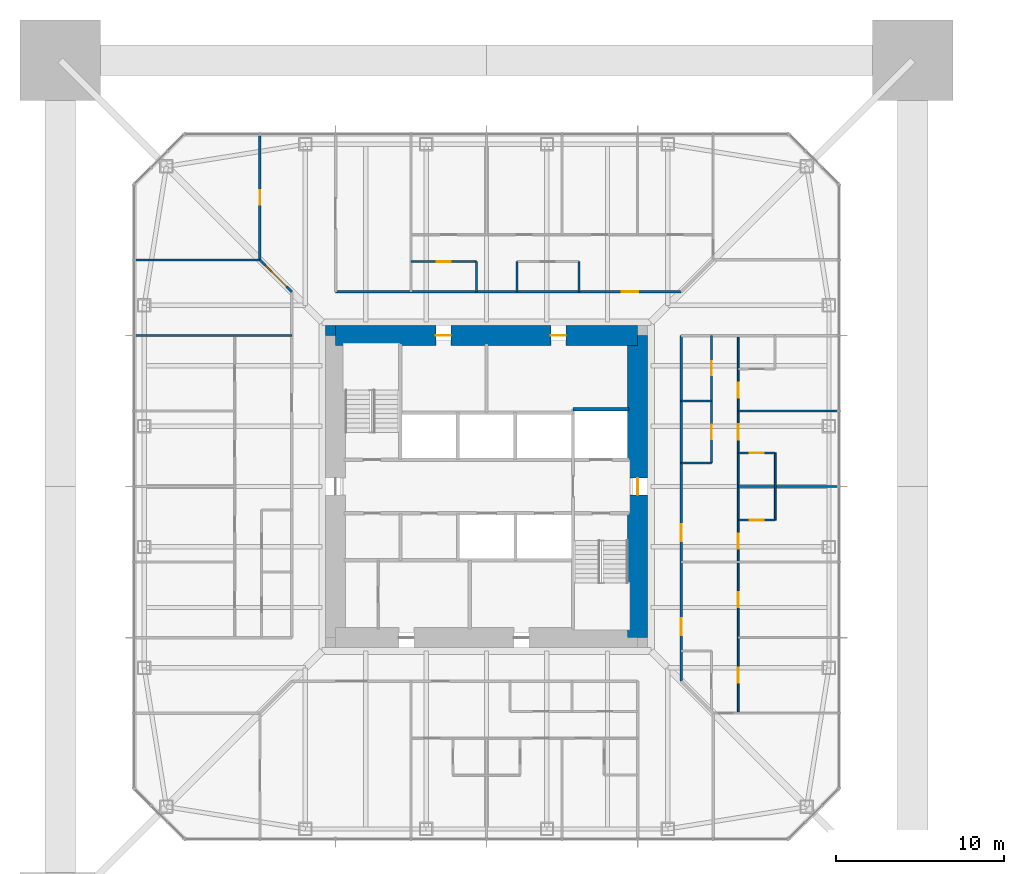
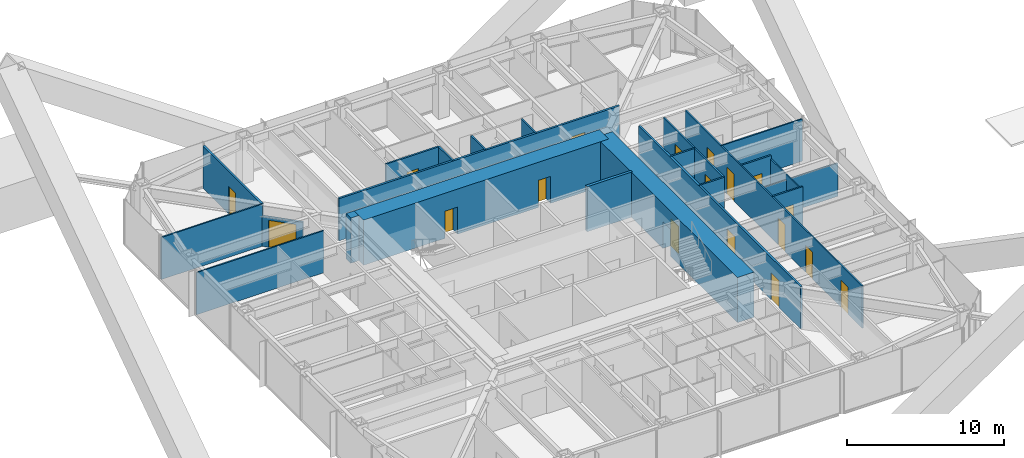
# One storey, part 12 of 17: 23 walls, 18 doors, 18 openings.
"""IFC4 building model written with IfcOpenShell, lengths in metres."""

from ifc_helpers import new_model, si_unit, direction, frame, frame_2d, origin, place, context, subcontext, project, spatial, rectangle, extrude, material, layer, layer_set, type_object, element, fill, save


model = new_model("IFC4")

# Units and contexts
model_context = context("Model", 3, precision=1e-05, world=origin(), true_north=direction((0.0, 1.0)))
body_context = subcontext(model_context, "Body", "Model", "MODEL_VIEW")
ifc_project = project(units=[si_unit("LENGTHUNIT", "METRE"), si_unit("AREAUNIT", "SQUARE_METRE"), si_unit("VOLUMEUNIT", "CUBIC_METRE"), si_unit("PLANEANGLEUNIT", "RADIAN"), si_unit("MASSUNIT", "GRAM", prefix="KILO")], contexts=[model_context])

# Site, building, storey
site_placement = place(None, origin())
site = spatial("IfcSite", under=ifc_project, at=site_placement, CompositionType="ELEMENT")
building_placement = place(site_placement, origin())
building = spatial("IfcBuilding", under=site, at=building_placement, Name="Iwan Alto Co-Living Towers", CompositionType="ELEMENT")
storey_placement = place(building_placement, frame((0.0, 0.0, 133.0)))
storey = spatial("IfcBuildingStorey", under=building, at=storey_placement, Name="L36", CompositionType="ELEMENT", Elevation=133.0)

# Wall, opening, door
ifc_material_1 = material(Name="Gypsum board")
ifc_layer_1 = layer(ifc_material_1, 0.02490234375, Name="Board", Category="Finish")
ifc_material_2 = material(Name="Steel ASTM A1003 ST33H cold-formed studs", Category="steel")
ifc_layer_2 = layer(ifc_material_2, 0.10009765625, Name="Studs", Category="Framing")
ifc_layer_3 = layer(ifc_material_1, 0.02490234375, Name="Board", Category="Finish")
ifc_layer_set_1 = layer_set([ifc_layer_1, ifc_layer_2, ifc_layer_3], Name="CORRIDOR WALL 150")
wall_type_1 = type_object("IfcWallType", Name="CORRIDOR WALL 150", PredefinedType="PARTITIONING", material=ifc_layer_set_1)
wall_1_placement = place(storey_placement, frame((-9.0, 11.60009765625, 0.0), z_axis=(0.0, 0.0, 1.0), x_axis=(1.0, 0.0, 0.0)))
wall_1 = element("IfcWall", 1, at=wall_1_placement, inside=storey, type_object=wall_type_1, Name="Partition L36", PredefinedType="PARTITIONING", context=body_context, shape_type="SweptSolid", body=[
    extrude(rectangle(XDim=20.60009765625, YDim=0.14990234375, at=frame_2d((10.300048828125, 0.0))), origin(), (0.0, 0.0, 1.0), 3.27001953125),
])
opening_1_placement = place(wall_1_placement, frame((17.050048828125, 0.0, 0.0)))
opening_1 = element("IfcOpeningElement", 2, at=opening_1_placement, cuts=wall_1, Name="Opening D3", PredefinedType="OPENING", context=body_context, shape_type="SweptSolid", body=[
    extrude(rectangle(XDim=1.0, YDim=2.10009765625, at=frame_2d((0.5, 1.050048828125))), frame((0.0, 0.0849609375, 0.0), z_axis=(0.0, -1.0, 0.0), x_axis=(1.0, 0.0, 0.0)), (0.0, 0.0, 1.0), 0.169921875),
])
ifc_material_3 = material(Name="Steel frame with timber leaf", Category="steel")
door_type_1 = type_object("IfcDoorType", Name="FLAT ENTRANCE DOOR FD30S 1000X2100", OperationType="SINGLE_SWING_LEFT", PredefinedType="DOOR", material=ifc_material_3)
door_1_placement = place(opening_1_placement, origin())
door_1 = element("IfcDoor", 3, at=door_1_placement, inside=storey, type_object=door_type_1, Name="Cluster lounge door L36", OperationType="SINGLE_SWING_LEFT", OverallHeight=2.10009765625, OverallWidth=1.0, PredefinedType="DOOR", context=body_context, shape_type="SweptSolid", body=[
    extrude(rectangle(XDim=1.0, YDim=2.10009765625, at=frame_2d((0.5, 1.050048828125))), frame((0.0, 0.02490234375, 0.0), z_axis=(0.0, -1.0, 0.0), x_axis=(1.0, 0.0, 0.0)), (0.0, 0.0, 1.0), 0.050048828125),
])
fill(opening_1, door_1)

# Wall, openings, doors
wall_2_placement = place(storey_placement, frame((11.60009765625, -11.60009765625, 0.0), z_axis=(0.0, 0.0, 1.0), x_axis=(0.0, 1.0, 0.0)))
wall_2 = element("IfcWall", 4, at=wall_2_placement, inside=storey, type_object=wall_type_1, Name="Partition L36", PredefinedType="PARTITIONING", context=body_context, shape_type="SweptSolid", body=[
    extrude(rectangle(XDim=20.60009765625, YDim=0.14990234375, at=frame_2d((10.300048828125, 0.0))), origin(), (0.0, 0.0, 1.0), 3.27001953125),
])
opening_2_placement = place(wall_2_placement, frame((2.75, 0.0, 0.0)))
opening_2 = element("IfcOpeningElement", 5, at=opening_2_placement, cuts=wall_2, Name="Opening D3", PredefinedType="OPENING", context=body_context, shape_type="SweptSolid", body=[
    extrude(rectangle(XDim=1.0, YDim=2.10009765625, at=frame_2d((0.5, 1.050048828125))), frame((0.0, 0.0849609375, 0.0), z_axis=(0.0, -1.0, 0.0), x_axis=(1.0, 0.0, 0.0)), (0.0, 0.0, 1.0), 0.169921875),
])
opening_3_placement = place(wall_2_placement, frame((8.35009765625, 0.0, 0.0)))
opening_3 = element("IfcOpeningElement", 6, at=opening_3_placement, cuts=wall_2, Name="Opening D3", PredefinedType="OPENING", context=body_context, shape_type="SweptSolid", body=[
    extrude(rectangle(XDim=1.0, YDim=2.10009765625, at=frame_2d((0.5, 1.050048828125))), frame((0.0, 0.0849609375, 0.0), z_axis=(0.0, -1.0, 0.0), x_axis=(1.0, 0.0, 0.0)), (0.0, 0.0, 1.0), 0.169921875),
])
door_2_placement = place(opening_2_placement, frame((1.0, 0.0, 0.0), z_axis=(0.0, 0.0, 1.0), x_axis=(-1.0, 0.0, 0.0)))
door_2 = element("IfcDoor", 7, at=door_2_placement, inside=storey, type_object=door_type_1, Name="Cluster lounge door L36", OperationType="SINGLE_SWING_RIGHT", OverallHeight=2.10009765625, OverallWidth=1.0, PredefinedType="DOOR", context=body_context, shape_type="SweptSolid", body=[
    extrude(rectangle(XDim=1.0, YDim=2.10009765625, at=frame_2d((0.5, 1.050048828125))), frame((0.0, 0.02490234375, 0.0), z_axis=(0.0, -1.0, 0.0), x_axis=(1.0, 0.0, 0.0)), (0.0, 0.0, 1.0), 0.050048828125),
])
fill(opening_2, door_2)
door_3_placement = place(opening_3_placement, frame((1.0, 0.0, 0.0), z_axis=(0.0, 0.0, 1.0), x_axis=(-1.0, 0.0, 0.0)))
door_3 = element("IfcDoor", 8, at=door_3_placement, inside=storey, type_object=door_type_1, Name="Cluster lounge and shared kitchen door L36", OperationType="SINGLE_SWING_RIGHT", OverallHeight=2.10009765625, OverallWidth=1.0, PredefinedType="DOOR", context=body_context, shape_type="SweptSolid", body=[
    extrude(rectangle(XDim=1.0, YDim=2.10009765625, at=frame_2d((0.5, 1.050048828125))), frame((0.0, 0.02490234375, 0.0), z_axis=(0.0, -1.0, 0.0), x_axis=(1.0, 0.0, 0.0)), (0.0, 0.0, 1.0), 0.050048828125),
])
fill(opening_3, door_3)

# Wall, opening, door
wall_3_placement = place(storey_placement, frame((-13.5, 13.5, 0.0), z_axis=(0.0, 0.0, 1.0), x_axis=(0.0, 1.0, 0.0)))
wall_3 = element("IfcWall", 9, at=wall_3_placement, inside=storey, type_object=wall_type_1, Name="Partition L36", PredefinedType="PARTITIONING", context=body_context, shape_type="SweptSolid", body=[
    extrude(rectangle(XDim=7.43994140625, YDim=0.14990234375, at=frame_2d((3.719970703125, 0.0))), origin(), (0.0, 0.0, 1.0), 3.27001953125),
])
opening_4_placement = place(wall_3_placement, frame((3.294921875, 0.0, 0.0)))
opening_4 = element("IfcOpeningElement", 10, at=opening_4_placement, cuts=wall_3, Name="Opening D2", PredefinedType="OPENING", context=body_context, shape_type="SweptSolid", body=[
    extrude(rectangle(XDim=0.85009765625, YDim=2.10009765625, at=frame_2d((0.425048828125, 1.050048828125))), frame((0.0, 0.0849609375, 0.0), z_axis=(0.0, -1.0, 0.0), x_axis=(1.0, 0.0, 0.0)), (0.0, 0.0, 1.0), 0.169921875),
])
ifc_material_4 = material(Name="Timber leaf in steel frame", Category="steel")
door_type_2 = type_object("IfcDoorType", Name="ROOM DOOR 850X2100", OperationType="SINGLE_SWING_LEFT", PredefinedType="DOOR", material=ifc_material_4)
door_4_placement = place(opening_4_placement, origin())
door_4 = element("IfcDoor", 11, at=door_4_placement, inside=storey, type_object=door_type_2, Name="Shared kitchen and lounge door L36", OperationType="SINGLE_SWING_LEFT", OverallHeight=2.10009765625, OverallWidth=0.85009765625, PredefinedType="DOOR", context=body_context, shape_type="SweptSolid", body=[
    extrude(rectangle(XDim=0.85009765625, YDim=2.10009765625, at=frame_2d((0.425048828125, 1.050048828125))), frame((0.0, 0.02490234375, 0.0), z_axis=(0.0, -1.0, 0.0), x_axis=(1.0, 0.0, 0.0)), (0.0, 0.0, 1.0), 0.050048828125),
])
fill(opening_4, door_4)

wall_4_placement = place(storey_placement, frame((-11.60009765625, 11.60009765625, 0.0), z_axis=(0.0, 0.0, 1.0), x_axis=(-0.707106781187, 0.707106781187, 0.0)))
wall_4 = element("IfcWall", 12, at=wall_4_placement, inside=storey, type_object=wall_type_1, Name="Partition L36", PredefinedType="PARTITIONING", context=body_context, shape_type="SweptSolid", body=[
    extrude(rectangle(XDim=2.686767578125, YDim=0.14990234375, at=frame_2d((1.34326171875, 0.0))), origin(), (0.0, 0.0, 1.0), 2.343017578125),
])
opening_5_placement = place(wall_4_placement, frame((0.444091796875, 0.0, 0.0)))
opening_5 = element("IfcOpeningElement", 13, at=opening_5_placement, cuts=wall_4, Name="Opening D9", PredefinedType="OPENING", context=body_context, shape_type="SweptSolid", body=[
    extrude(rectangle(XDim=1.800048828125, YDim=2.10009765625, at=frame_2d((0.89990234375, 1.050048828125))), frame((0.0, 0.0849609375, 0.0), z_axis=(0.0, -1.0, 0.0), x_axis=(1.0, 0.0, 0.0)), (0.0, 0.0, 1.0), 0.169921875),
])
ifc_material_5 = material(Name="Steel frame with timber leaf", Category="steel")
door_type_3 = type_object("IfcDoorType", Name="LOUNGE DOOR FD30S 1800X2100", OperationType="DOUBLE_DOOR_SINGLE_SWING", PredefinedType="DOOR", material=ifc_material_5)
door_5_placement = place(opening_5_placement, origin())
door_5 = element("IfcDoor", 14, at=door_5_placement, inside=storey, type_object=door_type_3, Name="Reading room door L36", OperationType="DOUBLE_DOOR_SINGLE_SWING", OverallHeight=2.10009765625, OverallWidth=1.800048828125, PredefinedType="DOOR", context=body_context, shape_type="SweptSolid", body=[
    extrude(rectangle(XDim=1.800048828125, YDim=2.10009765625, at=frame_2d((0.89990234375, 1.050048828125))), frame((0.0, 0.02490234375, 0.0), z_axis=(0.0, -1.0, 0.0), x_axis=(1.0, 0.0, 0.0)), (0.0, 0.0, 1.0), 0.050048828125),
])
fill(opening_5, door_5)

# Walls
ifc_layer_4 = layer(ifc_material_1, 0.012451171875, Name="Board", Category="Finish")
ifc_layer_5 = layer(ifc_material_2, 0.074951171875, Name="Studs", Category="Framing")
ifc_layer_6 = layer(ifc_material_1, 0.012451171875, Name="Board", Category="Finish")
ifc_layer_set_2 = layer_set([ifc_layer_4, ifc_layer_5, ifc_layer_6], Name="PARTITION 100")
wall_type_2 = type_object("IfcWallType", Name="PARTITION 100", PredefinedType="PARTITIONING", material=ifc_layer_set_2)
wall_5_placement = place(storey_placement, frame((15.0, 0.0, 0.0), z_axis=(0.0, 0.0, 1.0), x_axis=(1.0, 0.0, 0.0)))
element("IfcWall", 15, at=wall_5_placement, inside=storey, type_object=wall_type_2, Name="Partition L36", PredefinedType="PARTITIONING", context=body_context, shape_type="SweptSolid", body=[
    extrude(rectangle(XDim=5.93994140625, YDim=0.10009765625, at=frame_2d((2.969970703125, 0.0))), origin(), (0.0, 0.0, 1.0), 2.586669921875),
])
wall_6_placement = place(storey_placement, frame((15.0, 4.5, 0.0), z_axis=(0.0, 0.0, 1.0), x_axis=(1.0, 0.0, 0.0)))
element("IfcWall", 16, at=wall_6_placement, inside=storey, type_object=wall_type_2, Name="Partition L36", PredefinedType="PARTITIONING", context=body_context, shape_type="SweptSolid", body=[
    extrude(rectangle(XDim=5.93994140625, YDim=0.10009765625, at=frame_2d((2.969970703125, 0.0))), origin(), (0.0, 0.0, 1.0), 3.27001953125),
])
wall_7_placement = place(storey_placement, frame((-20.93994140625, 9.0, 0.0), z_axis=(0.0, 0.0, 1.0), x_axis=(1.0, 0.0, 0.0)))
element("IfcWall", 17, at=wall_7_placement, inside=storey, type_object=wall_type_2, Name="Partition L36", PredefinedType="PARTITIONING", context=body_context, shape_type="SweptSolid", body=[
    extrude(rectangle(XDim=9.33984375, YDim=0.10009765625, at=frame_2d((4.669921875, 0.0))), origin(), (0.0, 0.0, 1.0), 3.27001953125),
])
wall_8_placement = place(storey_placement, frame((-20.93994140625, 13.5, 0.0), z_axis=(0.0, 0.0, 1.0), x_axis=(1.0, 0.0, 0.0)))
element("IfcWall", 18, at=wall_8_placement, inside=storey, type_object=wall_type_2, Name="Partition L36", PredefinedType="PARTITIONING", context=body_context, shape_type="SweptSolid", body=[
    extrude(rectangle(XDim=7.43994140625, YDim=0.10009765625, at=frame_2d((3.719970703125, 0.0))), origin(), (0.0, 0.0, 1.0), 3.27001953125),
])
wall_9_placement = place(storey_placement, frame((17.199951171875, -2.0, 0.0), z_axis=(0.0, 0.0, 1.0), x_axis=(0.0, 1.0, 0.0)))
element("IfcWall", 19, at=wall_9_placement, inside=storey, type_object=wall_type_2, Name="Partition L36", PredefinedType="PARTITIONING", context=body_context, shape_type="SweptSolid", body=[
    extrude(rectangle(XDim=4.0, YDim=0.10009765625, at=frame_2d((2.0, 0.0))), origin(), (0.0, 0.0, 1.0), 3.0),
])

# Wall, openings, doors
wall_10_placement = place(storey_placement, frame((15.0, -13.5, 0.0), z_axis=(0.0, 0.0, 1.0), x_axis=(0.0, 1.0, 0.0)))
wall_10 = element("IfcWall", 20, at=wall_10_placement, inside=storey, type_object=wall_type_2, Name="Partition L36", PredefinedType="PARTITIONING", context=body_context, shape_type="SweptSolid", body=[
    extrude(rectangle(XDim=22.5, YDim=0.10009765625, at=frame_2d((11.25, 0.0))), origin(), (0.0, 0.0, 1.0), 3.27001953125),
])
opening_6_placement = place(wall_10_placement, frame((1.800048828125, 0.0, 0.0)))
opening_6 = element("IfcOpeningElement", 21, at=opening_6_placement, cuts=wall_10, Name="Opening D1", PredefinedType="OPENING", context=body_context, shape_type="SweptSolid", body=[
    extrude(rectangle(XDim=0.89990234375, YDim=2.10009765625, at=frame_2d((0.449951171875, 1.050048828125))), frame((0.0, 0.06005859375, 0.0), z_axis=(0.0, -1.0, 0.0), x_axis=(1.0, 0.0, 0.0)), (0.0, 0.0, 1.0), 0.1201171875),
])
opening_7_placement = place(wall_10_placement, frame((6.300048828125, 0.0, 0.0)))
opening_7 = element("IfcOpeningElement", 22, at=opening_7_placement, cuts=wall_10, Name="Opening D1", PredefinedType="OPENING", context=body_context, shape_type="SweptSolid", body=[
    extrude(rectangle(XDim=0.89990234375, YDim=2.10009765625, at=frame_2d((0.449951171875, 1.050048828125))), frame((0.0, 0.06005859375, 0.0), z_axis=(0.0, -1.0, 0.0), x_axis=(1.0, 0.0, 0.0)), (0.0, 0.0, 1.0), 0.1201171875),
])
opening_8_placement = place(wall_10_placement, frame((9.800048828125, 0.0, 0.0)))
opening_8 = element("IfcOpeningElement", 23, at=opening_8_placement, cuts=wall_10, Name="Opening D1", PredefinedType="OPENING", context=body_context, shape_type="SweptSolid", body=[
    extrude(rectangle(XDim=0.89990234375, YDim=2.10009765625, at=frame_2d((0.449951171875, 1.050048828125))), frame((0.0, 0.06005859375, 0.0), z_axis=(0.0, -1.0, 0.0), x_axis=(1.0, 0.0, 0.0)), (0.0, 0.0, 1.0), 0.1201171875),
])
opening_9_placement = place(wall_10_placement, frame((16.300048828125, 0.0, 0.0)))
opening_9 = element("IfcOpeningElement", 24, at=opening_9_placement, cuts=wall_10, Name="Opening D1", PredefinedType="OPENING", context=body_context, shape_type="SweptSolid", body=[
    extrude(rectangle(XDim=0.89990234375, YDim=2.10009765625, at=frame_2d((0.449951171875, 1.050048828125))), frame((0.0, 0.06005859375, 0.0), z_axis=(0.0, -1.0, 0.0), x_axis=(1.0, 0.0, 0.0)), (0.0, 0.0, 1.0), 0.1201171875),
])
opening_10_placement = place(wall_10_placement, frame((18.800048828125, 0.0, 0.0)))
opening_10 = element("IfcOpeningElement", 25, at=opening_10_placement, cuts=wall_10, Name="Opening D1", PredefinedType="OPENING", context=body_context, shape_type="SweptSolid", body=[
    extrude(rectangle(XDim=0.89990234375, YDim=2.10009765625, at=frame_2d((0.449951171875, 1.050048828125))), frame((0.0, 0.06005859375, 0.0), z_axis=(0.0, -1.0, 0.0), x_axis=(1.0, 0.0, 0.0)), (0.0, 0.0, 1.0), 0.1201171875),
])
ifc_material_6 = material(Name="Timber leaf in steel frame", Category="steel")
door_type_4 = type_object("IfcDoorType", Name="BEDROOM DOOR 900X2100", OperationType="SINGLE_SWING_LEFT", PredefinedType="DOOR", material=ifc_material_6)
door_6_placement = place(opening_6_placement, frame((0.89990234375, 0.0, 0.0), z_axis=(0.0, 0.0, 1.0), x_axis=(-1.0, 0.0, 0.0)))
door_6 = element("IfcDoor", 26, at=door_6_placement, inside=storey, type_object=door_type_4, Name="Study bedroom door L36", OperationType="SINGLE_SWING_RIGHT", OverallHeight=2.10009765625, OverallWidth=0.89990234375, PredefinedType="DOOR", context=body_context, shape_type="SweptSolid", body=[
    extrude(rectangle(XDim=0.89990234375, YDim=2.10009765625, at=frame_2d((0.449951171875, 1.050048828125))), frame((0.0, 0.02490234375, 0.0), z_axis=(0.0, -1.0, 0.0), x_axis=(1.0, 0.0, 0.0)), (0.0, 0.0, 1.0), 0.050048828125),
])
fill(opening_6, door_6)
door_7_placement = place(opening_7_placement, frame((0.89990234375, 0.0, 0.0), z_axis=(0.0, 0.0, 1.0), x_axis=(-1.0, 0.0, 0.0)))
door_7 = element("IfcDoor", 27, at=door_7_placement, inside=storey, type_object=door_type_4, Name="Study bedroom door L36", OperationType="SINGLE_SWING_RIGHT", OverallHeight=2.10009765625, OverallWidth=0.89990234375, PredefinedType="DOOR", context=body_context, shape_type="SweptSolid", body=[
    extrude(rectangle(XDim=0.89990234375, YDim=2.10009765625, at=frame_2d((0.449951171875, 1.050048828125))), frame((0.0, 0.02490234375, 0.0), z_axis=(0.0, -1.0, 0.0), x_axis=(1.0, 0.0, 0.0)), (0.0, 0.0, 1.0), 0.050048828125),
])
fill(opening_7, door_7)
door_8_placement = place(opening_8_placement, origin())
door_8 = element("IfcDoor", 28, at=door_8_placement, inside=storey, type_object=door_type_4, Name="Study bedroom door L36", OperationType="SINGLE_SWING_LEFT", OverallHeight=2.10009765625, OverallWidth=0.89990234375, PredefinedType="DOOR", context=body_context, shape_type="SweptSolid", body=[
    extrude(rectangle(XDim=0.89990234375, YDim=2.10009765625, at=frame_2d((0.449951171875, 1.050048828125))), frame((0.0, 0.02490234375, 0.0), z_axis=(0.0, -1.0, 0.0), x_axis=(1.0, 0.0, 0.0)), (0.0, 0.0, 1.0), 0.050048828125),
])
fill(opening_8, door_8)
door_9_placement = place(opening_9_placement, origin())
door_9 = element("IfcDoor", 29, at=door_9_placement, inside=storey, type_object=door_type_4, Name="Study bedroom door L36", OperationType="SINGLE_SWING_RIGHT", OverallHeight=2.10009765625, OverallWidth=0.89990234375, PredefinedType="DOOR", context=body_context, shape_type="SweptSolid", body=[
    extrude(rectangle(XDim=0.89990234375, YDim=2.10009765625, at=frame_2d((0.449951171875, 1.050048828125))), frame((0.0, 0.02490234375, 0.0), z_axis=(0.0, -1.0, 0.0), x_axis=(1.0, 0.0, 0.0)), (0.0, 0.0, 1.0), 0.050048828125),
])
fill(opening_9, door_9)
door_10_placement = place(opening_10_placement, origin())
door_10 = element("IfcDoor", 30, at=door_10_placement, inside=storey, type_object=door_type_4, Name="Study bedroom door L36", OperationType="SINGLE_SWING_RIGHT", OverallHeight=2.10009765625, OverallWidth=0.89990234375, PredefinedType="DOOR", context=body_context, shape_type="SweptSolid", body=[
    extrude(rectangle(XDim=0.89990234375, YDim=2.10009765625, at=frame_2d((0.449951171875, 1.050048828125))), frame((0.0, 0.02490234375, 0.0), z_axis=(0.0, -1.0, 0.0), x_axis=(1.0, 0.0, 0.0)), (0.0, 0.0, 1.0), 0.050048828125),
])
fill(opening_10, door_10)

# Walls
ifc_material_7 = material(Name="Concrete f'c 70 MPa", Category="concrete")
ifc_layer_7 = layer(ifc_material_7, 0.199951171875)
ifc_layer_set_3 = layer_set([ifc_layer_7], Name="SHAFT WALL 200")
wall_type_3 = type_object("IfcWallType", Name="SHAFT WALL 200", PredefinedType="SOLIDWALL", material=ifc_layer_set_3)
wall_11_placement = place(storey_placement, frame((5.14990234375, 4.60009765625, 0.0), z_axis=(0.0, 0.0, 1.0), x_axis=(1.0, 0.0, 0.0)))
element("IfcWall", 31, at=wall_11_placement, inside=storey, type_object=wall_type_3, Name="Shaft wall L36", PredefinedType="SOLIDWALL", context=body_context, shape_type="SweptSolid", body=[
    extrude(rectangle(XDim=3.340087890625, YDim=0.199951171875, at=frame_2d((1.669921875, 0.0))), origin(), (0.0, 0.0, 1.0), 3.5),
])
ifc_material_8 = material(Name="Concrete f'c 70 MPa", Category="concrete")
ifc_layer_8 = layer(ifc_material_8, 0.60009765625)
ifc_layer_set_4 = layer_set([ifc_layer_8], Name="T1 CORE CORNER FILL 600")
wall_type_4 = type_object("IfcWallType", Name="T1 CORE CORNER FILL 600", PredefinedType="SOLIDWALL", material=ifc_layer_set_4)
wall_12_placement = place(storey_placement, frame((-9.60009765625, 9.300048828125, 0.0), z_axis=(0.0, 0.0, 1.0), x_axis=(1.0, 0.0, 0.0)))
element("IfcWall", 32, at=wall_12_placement, inside=storey, type_object=wall_type_4, Name="T1 core corner NW L36", PredefinedType="SOLIDWALL", context=body_context, shape_type="SweptSolid", body=[
    extrude(rectangle(XDim=0.60009765625, YDim=0.60009765625, at=frame_2d((0.300048828125, 0.0))), origin(), (0.0, 0.0, 1.0), 3.5),
])

# Wall, openings, doors
ifc_material_9 = material(Name="Concrete f'c 70 MPa", Category="concrete")
ifc_layer_9 = layer(ifc_material_9, 1.199951171875)
ifc_layer_set_5 = layer_set([ifc_layer_9], Name="T1 CORE WALL 1200")
wall_type_5 = type_object("IfcWallType", Name="T1 CORE WALL 1200", PredefinedType="SHEAR", material=ifc_layer_set_5)
wall_13_placement = place(storey_placement, frame((9.0, 9.0, 0.0), z_axis=(0.0, 0.0, 1.0), x_axis=(-1.0, 0.0, 0.0)))
wall_13 = element("IfcWall", 33, at=wall_13_placement, inside=storey, type_object=wall_type_5, Name="T1 core wall N L36", PredefinedType="SHEAR", context=body_context, shape_type="SweptSolid", body=[
    extrude(rectangle(XDim=18.0, YDim=1.199951171875, at=frame_2d((9.0, 0.0))), origin(), (0.0, 0.0, 1.0), 3.5),
])
opening_11_placement = place(wall_13_placement, frame((11.125, 0.0, 0.0)))
opening_11 = element("IfcOpeningElement", 34, at=opening_11_placement, cuts=wall_13, Name="Opening D8", PredefinedType="OPENING", context=body_context, shape_type="SweptSolid", body=[
    extrude(rectangle(XDim=0.89990234375, YDim=2.10009765625, at=frame_2d((0.449951171875, 1.050048828125))), frame((0.0, 0.60986328125, 0.0), z_axis=(0.0, -1.0, 0.0), x_axis=(1.0, 0.0, 0.0)), (0.0, 0.0, 1.0), 1.219970703125),
])
opening_12_placement = place(wall_13_placement, frame((4.27490234375, 0.0, 0.0)))
opening_12 = element("IfcOpeningElement", 35, at=opening_12_placement, cuts=wall_13, Name="Opening D8", PredefinedType="OPENING", context=body_context, shape_type="SweptSolid", body=[
    extrude(rectangle(XDim=0.89990234375, YDim=2.10009765625, at=frame_2d((0.449951171875, 1.050048828125))), frame((0.0, 0.60986328125, 0.0), z_axis=(0.0, -1.0, 0.0), x_axis=(1.0, 0.0, 0.0)), (0.0, 0.0, 1.0), 1.219970703125),
])
ifc_material_10 = material(Name="Steel frame with timber leaf", Category="steel")
door_type_5 = type_object("IfcDoorType", Name="RISER DOOR FD120 900X2100", OperationType="SINGLE_SWING_LEFT", PredefinedType="DOOR", material=ifc_material_10)
door_11_placement = place(opening_11_placement, origin())
door_11 = element("IfcDoor", 36, at=door_11_placement, inside=storey, type_object=door_type_5, Name="Electrical riser core door L36", OperationType="SINGLE_SWING_RIGHT", OverallHeight=2.10009765625, OverallWidth=0.89990234375, PredefinedType="DOOR", context=body_context, shape_type="SweptSolid", body=[
    extrude(rectangle(XDim=0.89990234375, YDim=2.10009765625, at=frame_2d((0.449951171875, 1.050048828125))), frame((0.0, 0.02490234375, 0.0), z_axis=(0.0, -1.0, 0.0), x_axis=(1.0, 0.0, 0.0)), (0.0, 0.0, 1.0), 0.050048828125),
])
fill(opening_11, door_11)
door_12_placement = place(opening_12_placement, origin())
door_12 = element("IfcDoor", 37, at=door_12_placement, inside=storey, type_object=door_type_5, Name="Water and drainage riser core door L36", OperationType="SINGLE_SWING_RIGHT", OverallHeight=2.10009765625, OverallWidth=0.89990234375, PredefinedType="DOOR", context=body_context, shape_type="SweptSolid", body=[
    extrude(rectangle(XDim=0.89990234375, YDim=2.10009765625, at=frame_2d((0.449951171875, 1.050048828125))), frame((0.0, 0.02490234375, 0.0), z_axis=(0.0, -1.0, 0.0), x_axis=(1.0, 0.0, 0.0)), (0.0, 0.0, 1.0), 0.050048828125),
])
fill(opening_12, door_12)

# Wall, opening, door
wall_14_placement = place(storey_placement, frame((9.0, -9.0, 0.0), z_axis=(0.0, 0.0, 1.0), x_axis=(0.0, 1.0, 0.0)))
wall_14 = element("IfcWall", 38, at=wall_14_placement, inside=storey, type_object=wall_type_5, Name="T1 core wall E L36", PredefinedType="SHEAR", context=body_context, shape_type="SweptSolid", body=[
    extrude(rectangle(XDim=18.0, YDim=1.199951171875, at=frame_2d((9.0, 0.0))), origin(), (0.0, 0.0, 1.0), 3.5),
])
opening_13_placement = place(wall_14_placement, frame((8.5, 0.0, 0.0)))
opening_13 = element("IfcOpeningElement", 39, at=opening_13_placement, cuts=wall_14, Name="Opening D7", PredefinedType="OPENING", context=body_context, shape_type="SweptSolid", body=[
    extrude(rectangle(XDim=1.0, YDim=2.10009765625, at=frame_2d((0.5, 1.050048828125))), frame((0.0, 0.60986328125, 0.0), z_axis=(0.0, -1.0, 0.0), x_axis=(1.0, 0.0, 0.0)), (0.0, 0.0, 1.0), 1.219970703125),
])
ifc_material_11 = material(Name="Steel frame with timber leaf", Category="steel")
door_type_6 = type_object("IfcDoorType", Name="CORE DOOR FD120S 1000X2100", OperationType="SINGLE_SWING_LEFT", PredefinedType="DOOR", material=ifc_material_11)
door_13_placement = place(opening_13_placement, origin())
door_13 = element("IfcDoor", 40, at=door_13_placement, inside=storey, type_object=door_type_6, Name="Firefighting lobby core door L36", OperationType="SINGLE_SWING_LEFT", OverallHeight=2.10009765625, OverallWidth=1.0, PredefinedType="DOOR", context=body_context, shape_type="SweptSolid", body=[
    extrude(rectangle(XDim=1.0, YDim=2.10009765625, at=frame_2d((0.5, 1.050048828125))), frame((0.0, 0.02490234375, 0.0), z_axis=(0.0, -1.0, 0.0), x_axis=(1.0, 0.0, 0.0)), (0.0, 0.0, 1.0), 0.050048828125),
])
fill(opening_13, door_13)

ifc_material_12 = material(Name="Cement board")
ifc_layer_10 = layer(ifc_material_12, 0.012451171875, Name="Board", Category="Finish")
ifc_layer_11 = layer(ifc_material_2, 0.094970703125, Name="Studs", Category="Framing")
ifc_layer_12 = layer(ifc_material_12, 0.012451171875, Name="Board", Category="Finish")
ifc_layer_set_6 = layer_set([ifc_layer_10, ifc_layer_11, ifc_layer_12], Name="WET AREA PARTITION 120")
wall_type_6 = type_object("IfcWallType", Name="WET AREA PARTITION 120", PredefinedType="PARTITIONING", material=ifc_layer_set_6)
wall_15_placement = place(storey_placement, frame((15.0, -2.0, 0.0), z_axis=(0.0, 0.0, 1.0), x_axis=(1.0, 0.0, 0.0)))
wall_15 = element("IfcWall", 41, at=wall_15_placement, inside=storey, type_object=wall_type_6, Name="Partition L36", PredefinedType="PARTITIONING", context=body_context, shape_type="SweptSolid", body=[
    extrude(rectangle(XDim=2.199951171875, YDim=0.1201171875, at=frame_2d((1.10009765625, 0.0))), origin(), (0.0, 0.0, 1.0), 3.27001953125),
])
opening_14_placement = place(wall_15_placement, frame((0.675048828125, 0.0, 0.0)))
opening_14 = element("IfcOpeningElement", 42, at=opening_14_placement, cuts=wall_15, Name="Opening D2", PredefinedType="OPENING", context=body_context, shape_type="SweptSolid", body=[
    extrude(rectangle(XDim=0.85009765625, YDim=2.10009765625, at=frame_2d((0.425048828125, 1.050048828125))), frame((0.0, 0.070068359375, 0.0), z_axis=(0.0, -1.0, 0.0), x_axis=(1.0, 0.0, 0.0)), (0.0, 0.0, 1.0), 0.14013671875),
])
door_14_placement = place(opening_14_placement, frame((0.85009765625, 0.0, 0.0), z_axis=(0.0, 0.0, 1.0), x_axis=(-1.0, 0.0, 0.0)))
door_14 = element("IfcDoor", 43, at=door_14_placement, inside=storey, type_object=door_type_2, Name="En-suite shower room door L36", OperationType="SINGLE_SWING_RIGHT", OverallHeight=2.10009765625, OverallWidth=0.85009765625, PredefinedType="DOOR", context=body_context, shape_type="SweptSolid", body=[
    extrude(rectangle(XDim=0.85009765625, YDim=2.10009765625, at=frame_2d((0.425048828125, 1.050048828125))), frame((0.0, 0.02490234375, 0.0), z_axis=(0.0, -1.0, 0.0), x_axis=(1.0, 0.0, 0.0)), (0.0, 0.0, 1.0), 0.050048828125),
])
fill(opening_14, door_14)

# Wall
wall_16_placement = place(storey_placement, frame((11.60009765625, 1.39990234375, 0.0), z_axis=(0.0, 0.0, 1.0), x_axis=(1.0, 0.0, 0.0)))
element("IfcWall", 44, at=wall_16_placement, inside=storey, type_object=wall_type_6, Name="Partition L36", PredefinedType="PARTITIONING", context=body_context, shape_type="SweptSolid", body=[
    extrude(rectangle(XDim=1.7998046875, YDim=0.1201171875, at=frame_2d((0.89990234375, 0.0))), origin(), (0.0, 0.0, 1.0), 3.27001953125),
])

# Wall, opening, door
wall_17_placement = place(storey_placement, frame((15.0, 2.0, 0.0), z_axis=(0.0, 0.0, 1.0), x_axis=(1.0, 0.0, 0.0)))
wall_17 = element("IfcWall", 45, at=wall_17_placement, inside=storey, type_object=wall_type_6, Name="Partition L36", PredefinedType="PARTITIONING", context=body_context, shape_type="SweptSolid", body=[
    extrude(rectangle(XDim=2.199951171875, YDim=0.1201171875, at=frame_2d((1.10009765625, 0.0))), origin(), (0.0, 0.0, 1.0), 3.27001953125),
])
opening_15_placement = place(wall_17_placement, frame((0.675048828125, 0.0, 0.0)))
opening_15 = element("IfcOpeningElement", 46, at=opening_15_placement, cuts=wall_17, Name="Opening D2", PredefinedType="OPENING", context=body_context, shape_type="SweptSolid", body=[
    extrude(rectangle(XDim=0.85009765625, YDim=2.10009765625, at=frame_2d((0.425048828125, 1.050048828125))), frame((0.0, 0.070068359375, 0.0), z_axis=(0.0, -1.0, 0.0), x_axis=(1.0, 0.0, 0.0)), (0.0, 0.0, 1.0), 0.14013671875),
])
door_15_placement = place(opening_15_placement, origin())
door_15 = element("IfcDoor", 47, at=door_15_placement, inside=storey, type_object=door_type_2, Name="En-suite shower room door L36", OperationType="SINGLE_SWING_LEFT", OverallHeight=2.10009765625, OverallWidth=0.85009765625, PredefinedType="DOOR", context=body_context, shape_type="SweptSolid", body=[
    extrude(rectangle(XDim=0.85009765625, YDim=2.10009765625, at=frame_2d((0.425048828125, 1.050048828125))), frame((0.0, 0.02490234375, 0.0), z_axis=(0.0, -1.0, 0.0), x_axis=(1.0, 0.0, 0.0)), (0.0, 0.0, 1.0), 0.050048828125),
])
fill(opening_15, door_15)

# Wall
wall_18_placement = place(storey_placement, frame((11.60009765625, 5.10009765625, 0.0), z_axis=(0.0, 0.0, 1.0), x_axis=(1.0, 0.0, 0.0)))
element("IfcWall", 48, at=wall_18_placement, inside=storey, type_object=wall_type_6, Name="Partition L36", PredefinedType="PARTITIONING", context=body_context, shape_type="SweptSolid", body=[
    extrude(rectangle(XDim=1.7998046875, YDim=0.1201171875, at=frame_2d((0.89990234375, 0.0))), origin(), (0.0, 0.0, 1.0), 3.27001953125),
])

# Wall, opening, door
wall_19_placement = place(storey_placement, frame((-4.5, 13.39990234375, 0.0), z_axis=(0.0, 0.0, 1.0), x_axis=(1.0, 0.0, 0.0)))
wall_19 = element("IfcWall", 49, at=wall_19_placement, inside=storey, type_object=wall_type_6, Name="Partition L36", PredefinedType="PARTITIONING", context=body_context, shape_type="SweptSolid", body=[
    extrude(rectangle(XDim=3.89990234375, YDim=0.1201171875, at=frame_2d((1.949951171875, 0.0))), origin(), (0.0, 0.0, 1.0), 3.27001953125),
])
opening_16_placement = place(wall_19_placement, frame((1.52490234375, 0.0, 0.0)))
opening_16 = element("IfcOpeningElement", 50, at=opening_16_placement, cuts=wall_19, Name="Opening D2", PredefinedType="OPENING", context=body_context, shape_type="SweptSolid", body=[
    extrude(rectangle(XDim=0.85009765625, YDim=2.10009765625, at=frame_2d((0.425048828125, 1.050048828125))), frame((0.0, 0.070068359375, 0.0), z_axis=(0.0, -1.0, 0.0), x_axis=(1.0, 0.0, 0.0)), (0.0, 0.0, 1.0), 0.14013671875),
])
door_16_placement = place(opening_16_placement, origin())
door_16 = element("IfcDoor", 51, at=door_16_placement, inside=storey, type_object=door_type_2, Name="Laundry door L36", OperationType="SINGLE_SWING_LEFT", OverallHeight=2.10009765625, OverallWidth=0.85009765625, PredefinedType="DOOR", context=body_context, shape_type="SweptSolid", body=[
    extrude(rectangle(XDim=0.85009765625, YDim=2.10009765625, at=frame_2d((0.425048828125, 1.050048828125))), frame((0.0, 0.02490234375, 0.0), z_axis=(0.0, -1.0, 0.0), x_axis=(1.0, 0.0, 0.0)), (0.0, 0.0, 1.0), 0.050048828125),
])
fill(opening_16, door_16)

# Wall, openings, doors
wall_20_placement = place(storey_placement, frame((13.39990234375, 1.39990234375, 0.0), z_axis=(0.0, 0.0, 1.0), x_axis=(0.0, 1.0, 0.0)))
wall_20 = element("IfcWall", 52, at=wall_20_placement, inside=storey, type_object=wall_type_6, Name="Partition L36", PredefinedType="PARTITIONING", context=body_context, shape_type="SweptSolid", body=[
    extrude(rectangle(XDim=7.60009765625, YDim=0.1201171875, at=frame_2d((3.800048828125, 0.0))), origin(), (0.0, 0.0, 1.0), 3.27001953125),
])
opening_17_placement = place(wall_20_placement, frame((1.425048828125, 0.0, 0.0)))
opening_17 = element("IfcOpeningElement", 53, at=opening_17_placement, cuts=wall_20, Name="Opening D2", PredefinedType="OPENING", context=body_context, shape_type="SweptSolid", body=[
    extrude(rectangle(XDim=0.85009765625, YDim=2.10009765625, at=frame_2d((0.425048828125, 1.050048828125))), frame((0.0, 0.070068359375, 0.0), z_axis=(0.0, -1.0, 0.0), x_axis=(1.0, 0.0, 0.0)), (0.0, 0.0, 1.0), 0.14013671875),
])
opening_18_placement = place(wall_20_placement, frame((5.22509765625, 0.0, 0.0)))
opening_18 = element("IfcOpeningElement", 54, at=opening_18_placement, cuts=wall_20, Name="Opening D2", PredefinedType="OPENING", context=body_context, shape_type="SweptSolid", body=[
    extrude(rectangle(XDim=0.85009765625, YDim=2.10009765625, at=frame_2d((0.425048828125, 1.050048828125))), frame((0.0, 0.070068359375, 0.0), z_axis=(0.0, -1.0, 0.0), x_axis=(1.0, 0.0, 0.0)), (0.0, 0.0, 1.0), 0.14013671875),
])
door_17_placement = place(opening_17_placement, frame((0.85009765625, 0.0, 0.0), z_axis=(0.0, 0.0, 1.0), x_axis=(-1.0, 0.0, 0.0)))
door_17 = element("IfcDoor", 55, at=door_17_placement, inside=storey, type_object=door_type_2, Name="Accessible bathroom door L36", OperationType="SINGLE_SWING_LEFT", OverallHeight=2.10009765625, OverallWidth=0.85009765625, PredefinedType="DOOR", context=body_context, shape_type="SweptSolid", body=[
    extrude(rectangle(XDim=0.85009765625, YDim=2.10009765625, at=frame_2d((0.425048828125, 1.050048828125))), frame((0.0, 0.02490234375, 0.0), z_axis=(0.0, -1.0, 0.0), x_axis=(1.0, 0.0, 0.0)), (0.0, 0.0, 1.0), 0.050048828125),
])
fill(opening_17, door_17)
door_18_placement = place(opening_18_placement, frame((0.85009765625, 0.0, 0.0), z_axis=(0.0, 0.0, 1.0), x_axis=(-1.0, 0.0, 0.0)))
door_18 = element("IfcDoor", 56, at=door_18_placement, inside=storey, type_object=door_type_2, Name="Laundry door L36", OperationType="SINGLE_SWING_LEFT", OverallHeight=2.10009765625, OverallWidth=0.85009765625, PredefinedType="DOOR", context=body_context, shape_type="SweptSolid", body=[
    extrude(rectangle(XDim=0.85009765625, YDim=2.10009765625, at=frame_2d((0.425048828125, 1.050048828125))), frame((0.0, 0.02490234375, 0.0), z_axis=(0.0, -1.0, 0.0), x_axis=(1.0, 0.0, 0.0)), (0.0, 0.0, 1.0), 0.050048828125),
])
fill(opening_18, door_18)

# Walls
for number, where, z_axis, x_axis, name in (
    (57, (5.5, 11.60009765625, 0.0), (0.0, 0.0, 1.0), (0.0, 1.0, 0.0), "Partition L36"),
    (58, (1.800048828125, 11.60009765625, 0.0), (0.0, 0.0, 1.0), (0.0, 1.0, 0.0), "Partition L36"),
    (59, (-0.60009765625, 11.60009765625, 0.0), (0.0, 0.0, 1.0), (0.0, 1.0, 0.0), "Partition L36"),
):
    element("IfcWall", number, at=place(storey_placement, frame(where, z_axis=z_axis, x_axis=x_axis)), inside=storey, type_object=wall_type_6, Name=name, PredefinedType="PARTITIONING", context=body_context, shape_type="SweptSolid", body=[
        extrude(rectangle(XDim=1.7998046875, YDim=0.1201171875, at=frame_2d((0.89990234375, 0.0))), origin(), (0.0, 0.0, 1.0), 3.27001953125),
    ])

save(model, "model.ifc")
